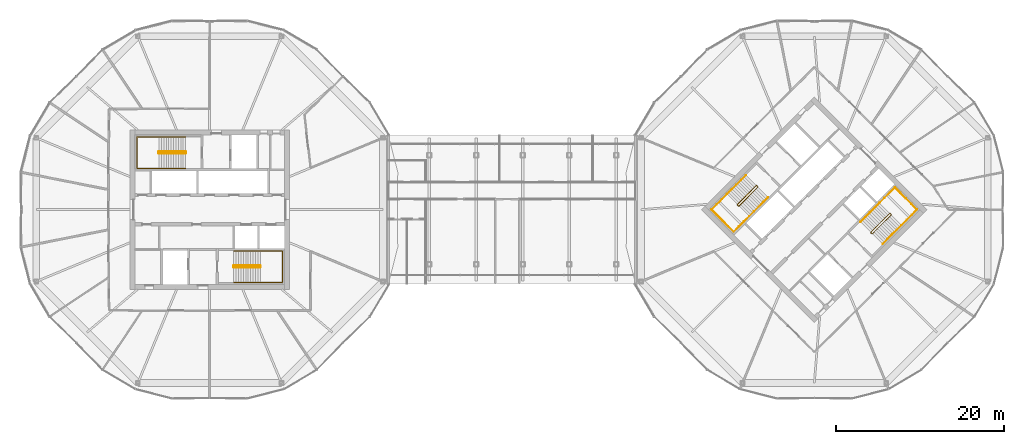
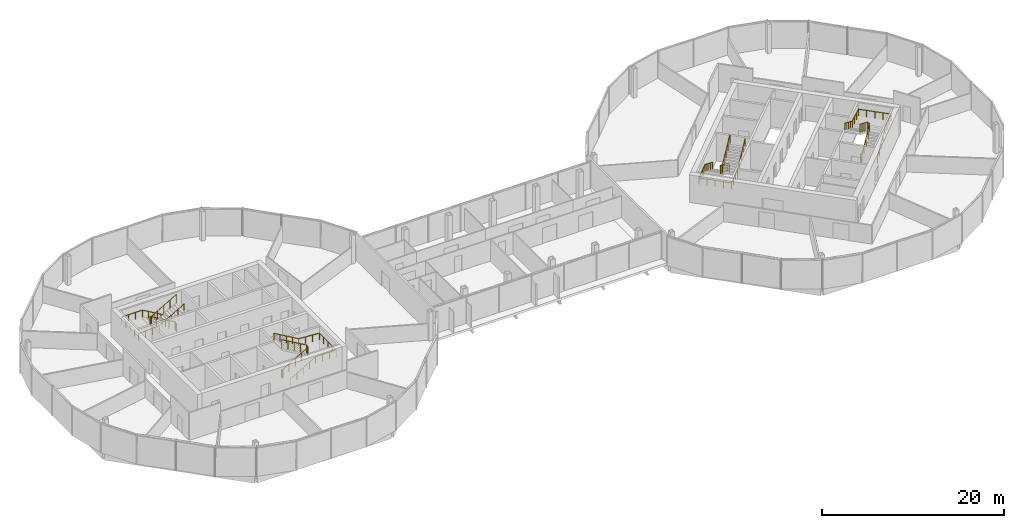
# One storey, part 26 of 26: 8 railings.
"""IFC4 building model written with IfcOpenShell, lengths in metres."""

from ifc_helpers import new_model, si_unit, direction, frame, origin, origin_2d, place, context, subcontext, project, spatial, circle, extrude, material, type_object, element, save


model = new_model("IFC4")

# Units and contexts
model_context = context("Model", 3, precision=1e-05, world=origin(), true_north=direction((0.0, 1.0)))
body_context = subcontext(model_context, "Body", "Model", "MODEL_VIEW")
ifc_project = project(units=[si_unit("LENGTHUNIT", "METRE"), si_unit("AREAUNIT", "SQUARE_METRE"), si_unit("VOLUMEUNIT", "CUBIC_METRE"), si_unit("PLANEANGLEUNIT", "RADIAN"), si_unit("MASSUNIT", "GRAM", prefix="KILO")], contexts=[model_context])

# Site, building, storey
site_placement = place(None, origin())
site = spatial("IfcSite", under=ifc_project, at=site_placement, CompositionType="ELEMENT")
building_placement = place(site_placement, origin())
building = spatial("IfcBuilding", under=site, at=building_placement, Name="Ogive Gate Towers", CompositionType="ELEMENT")
storey_placement = place(building_placement, frame((0.0, 0.0, 156.800048828125)))
storey = spatial("IfcBuildingStorey", under=building, at=storey_placement, Name="L37", CompositionType="ELEMENT", Elevation=156.800048828125)

# Railings
ifc_material = material(Name="Stainless steel", Category="steel")
railing_type_1 = type_object("IfcRailingType", Name="Stair guard 1100", PredefinedType="GUARDRAIL", material=ifc_material)
railing_1_placement = place(storey_placement, frame((-38.81494140625, 6.860107421875, 0.0)))
element("IfcRailing", 1, at=railing_1_placement, inside=storey, type_object=railing_type_1, Name="L37 ST1 stair guard 1", PredefinedType="GUARDRAIL", context=body_context, shape_type="SweptSolid", body=[
    extrude(circle(Radius=0.02392578125, at=origin_2d()), frame((0.0, 0.0, 1.076171875), z_axis=(0.0, -1.0, 0.0), x_axis=(1.0, 0.0, 0.0)), (0.0, 0.0, 1.0), 0.14501953125),
    extrude(circle(Radius=0.02392578125, at=origin_2d()), frame((0.0, -0.14501953125, 1.076171875), z_axis=(-0.19166807023, 0.746103024601, 0.637646945837), x_axis=(-0.968551454522, -0.24881334358, 0.0)), (0.0, 0.0, 1.0), 0.26123046875),
    extrude(circle(Radius=0.02392578125, at=origin_2d()), frame((-0.050048828125, 0.0498046875, 1.24267578125), z_axis=(-0.86512740231, 0.0, 0.501552168546), x_axis=(0.0, -1.0, 0.0)), (0.0, 0.0, 1.0), 3.65576171875),
    extrude(circle(Radius=0.02392578125, at=origin_2d()), frame((-3.212646484375, 0.0498046875, 3.076171875), z_axis=(-0.707106781187, -0.707106781187, 0.0), x_axis=(0.707106781187, -0.707106781187, 0.0)), (0.0, 0.0, 1.0), 0.0703125),
    extrude(circle(Radius=0.02392578125, at=origin_2d()), frame((-3.262451171875, 0.0, 3.076171875), z_axis=(0.0, -1.0, 0.0), x_axis=(1.0, 0.0, 0.0)), (0.0, 0.0, 1.0), 0.14501953125),
    extrude(circle(Radius=0.02392578125, at=origin_2d()), frame((-3.262451171875, -0.14501953125, 3.076171875), z_axis=(0.275382897532, -0.276732813696, 0.920642824102), x_axis=(0.708833529934, 0.705375805398, 0.0)), (0.0, 0.0, 1.0), 0.180908203125),
    extrude(circle(Radius=0.02392578125, at=origin_2d()), frame((-3.212646484375, -0.195068359375, 3.24267578125), z_axis=(0.86512740231, 0.0, 0.501552168546), x_axis=(0.0, 1.0, 0.0)), (0.0, 0.0, 1.0), 3.65576171875),
    extrude(circle(Radius=0.02099609375, at=origin_2d()), origin(), (0.0, 0.0, 1.0), 1.052001953125),
    extrude(circle(Radius=0.02099609375, at=origin_2d()), frame((0.0, -0.14501953125, 0.0)), (0.0, 0.0, 1.0), 1.052001953125),
    extrude(circle(Radius=0.02099609375, at=origin_2d()), frame((-0.050048828125, 0.0498046875, 0.16650390625)), (0.0, 0.0, 1.0), 1.052001953125),
    extrude(circle(Radius=0.02099609375, at=origin_2d()), frame((-0.8408203125, 0.0498046875, 0.625)), (0.0, 0.0, 1.0), 1.052001953125),
    extrude(circle(Radius=0.02099609375, at=origin_2d()), frame((-1.63134765625, 0.0498046875, 1.083251953125)), (0.0, 0.0, 1.0), 1.052001953125),
    extrude(circle(Radius=0.02099609375, at=origin_2d()), frame((-2.421875, 0.0498046875, 1.54150390625)), (0.0, 0.0, 1.0), 1.052001953125),
    extrude(circle(Radius=0.02099609375, at=origin_2d()), frame((-3.212646484375, 0.0498046875, 2.0)), (0.0, 0.0, 1.0), 1.052001953125),
    extrude(circle(Radius=0.02099609375, at=origin_2d()), frame((-3.262451171875, 0.0, 2.0)), (0.0, 0.0, 1.0), 1.052001953125),
    extrude(circle(Radius=0.02099609375, at=origin_2d()), frame((-3.262451171875, -0.14501953125, 2.0)), (0.0, 0.0, 1.0), 1.052001953125),
    extrude(circle(Radius=0.02099609375, at=origin_2d()), frame((-3.212646484375, -0.195068359375, 2.16650390625)), (0.0, 0.0, 1.0), 1.052001953125),
    extrude(circle(Radius=0.02099609375, at=origin_2d()), frame((-2.421875, -0.195068359375, 2.625)), (0.0, 0.0, 1.0), 1.052001953125),
    extrude(circle(Radius=0.02099609375, at=origin_2d()), frame((-1.63134765625, -0.195068359375, 3.083251953125)), (0.0, 0.0, 1.0), 1.052001953125),
    extrude(circle(Radius=0.02099609375, at=origin_2d()), frame((-0.8408203125, -0.195068359375, 3.54150390625)), (0.0, 0.0, 1.0), 1.052001953125),
    extrude(circle(Radius=0.02099609375, at=origin_2d()), frame((-0.050048828125, -0.195068359375, 4.0)), (0.0, 0.0, 1.0), 1.052001953125),
])
railing_2_placement = place(storey_placement, frame((-33.18505859375, -6.860107421875, 0.0)))
element("IfcRailing", 2, at=railing_2_placement, inside=storey, type_object=railing_type_1, Name="L37 ST2 stair guard 1", PredefinedType="GUARDRAIL", context=body_context, shape_type="SweptSolid", body=[
    extrude(circle(Radius=0.02392578125, at=origin_2d()), frame((0.0, 0.0, 1.076171875), z_axis=(0.0, 1.0, 0.0), x_axis=(-1.0, 0.0, 0.0)), (0.0, 0.0, 1.0), 0.14501953125),
    extrude(circle(Radius=0.02392578125, at=origin_2d()), frame((0.0, 0.14501953125, 1.076171875), z_axis=(0.19166807023, -0.746103024601, 0.637646945837), x_axis=(0.968551454522, 0.24881334358, 0.0)), (0.0, 0.0, 1.0), 0.26123046875),
    extrude(circle(Radius=0.02392578125, at=origin_2d()), frame((0.050048828125, -0.0498046875, 1.24267578125), z_axis=(0.86512740231, 0.0, 0.501552168546), x_axis=(0.0, 1.0, 0.0)), (0.0, 0.0, 1.0), 3.65576171875),
    extrude(circle(Radius=0.02392578125, at=origin_2d()), frame((3.212646484375, -0.0498046875, 3.076171875), z_axis=(0.707106781187, 0.707106781187, 0.0), x_axis=(-0.707106781187, 0.707106781187, 0.0)), (0.0, 0.0, 1.0), 0.0703125),
    extrude(circle(Radius=0.02392578125, at=origin_2d()), frame((3.262451171875, 0.0, 3.076171875), z_axis=(0.0, 1.0, 0.0), x_axis=(-1.0, 0.0, 0.0)), (0.0, 0.0, 1.0), 0.14501953125),
    extrude(circle(Radius=0.02392578125, at=origin_2d()), frame((3.262451171875, 0.14501953125, 3.076171875), z_axis=(-0.275382897532, 0.276732813696, 0.920642824102), x_axis=(-0.708833529934, -0.705375805398, 0.0)), (0.0, 0.0, 1.0), 0.180908203125),
    extrude(circle(Radius=0.02392578125, at=origin_2d()), frame((3.212646484375, 0.195068359375, 3.24267578125), z_axis=(-0.86512740231, 0.0, 0.501552168546), x_axis=(0.0, -1.0, 0.0)), (0.0, 0.0, 1.0), 3.65576171875),
    extrude(circle(Radius=0.02099609375, at=origin_2d()), origin(), (0.0, 0.0, 1.0), 1.052001953125),
    extrude(circle(Radius=0.02099609375, at=origin_2d()), frame((0.0, 0.14501953125, 0.0)), (0.0, 0.0, 1.0), 1.052001953125),
    extrude(circle(Radius=0.02099609375, at=origin_2d()), frame((0.050048828125, -0.0498046875, 0.16650390625)), (0.0, 0.0, 1.0), 1.052001953125),
    extrude(circle(Radius=0.02099609375, at=origin_2d()), frame((0.8408203125, -0.0498046875, 0.625)), (0.0, 0.0, 1.0), 1.052001953125),
    extrude(circle(Radius=0.02099609375, at=origin_2d()), frame((1.63134765625, -0.0498046875, 1.083251953125)), (0.0, 0.0, 1.0), 1.052001953125),
    extrude(circle(Radius=0.02099609375, at=origin_2d()), frame((2.421875, -0.0498046875, 1.54150390625)), (0.0, 0.0, 1.0), 1.052001953125),
    extrude(circle(Radius=0.02099609375, at=origin_2d()), frame((3.212646484375, -0.0498046875, 2.0)), (0.0, 0.0, 1.0), 1.052001953125),
    extrude(circle(Radius=0.02099609375, at=origin_2d()), frame((3.262451171875, 0.0, 2.0)), (0.0, 0.0, 1.0), 1.052001953125),
    extrude(circle(Radius=0.02099609375, at=origin_2d()), frame((3.262451171875, 0.14501953125, 2.0)), (0.0, 0.0, 1.0), 1.052001953125),
    extrude(circle(Radius=0.02099609375, at=origin_2d()), frame((3.212646484375, 0.195068359375, 2.16650390625)), (0.0, 0.0, 1.0), 1.052001953125),
    extrude(circle(Radius=0.02099609375, at=origin_2d()), frame((2.421875, 0.195068359375, 2.625)), (0.0, 0.0, 1.0), 1.052001953125),
    extrude(circle(Radius=0.02099609375, at=origin_2d()), frame((1.63134765625, 0.195068359375, 3.083251953125)), (0.0, 0.0, 1.0), 1.052001953125),
    extrude(circle(Radius=0.02099609375, at=origin_2d()), frame((0.8408203125, 0.195068359375, 3.54150390625)), (0.0, 0.0, 1.0), 1.052001953125),
    extrude(circle(Radius=0.02099609375, at=origin_2d()), frame((0.050048828125, 0.195068359375, 4.0)), (0.0, 0.0, 1.0), 1.052001953125),
])
railing_3_placement = place(storey_placement, frame((29.15869140625, 2.8603515625, 0.0)))
element("IfcRailing", 3, at=railing_3_placement, inside=storey, type_object=railing_type_1, Name="L37 ST1 stair guard 1", PredefinedType="GUARDRAIL", context=body_context, shape_type="SweptSolid", body=[
    extrude(circle(Radius=0.02392578125, at=origin_2d()), frame((0.0, 0.0, 1.076171875), z_axis=(0.707106781187, -0.707106781187, 0.0), x_axis=(0.707106781187, 0.707106781187, 0.0)), (0.0, 0.0, 1.0), 0.14501953125),
    extrude(circle(Radius=0.02392578125, at=origin_2d()), frame((0.1025390625, -0.1025390625, 1.076171875), z_axis=(-0.662818031471, 0.39264255743, 0.637576724208), x_axis=(-0.509669330572, -0.860370369942, 0.0)), (0.0, 0.0, 1.0), 0.26123046875),
    extrude(circle(Radius=0.02392578125, at=origin_2d()), frame((-0.070556640625, 0.0, 1.24267578125), z_axis=(-0.611739783828, -0.611739783828, 0.501546482156), x_axis=(0.707106781187, -0.707106781187, 0.0)), (0.0, 0.0, 1.0), 3.65576171875),
    extrude(circle(Radius=0.02392578125, at=origin_2d()), frame((-2.306884765625, -2.236328125, 3.076171875), z_axis=(0.0, -1.0, 0.0), x_axis=(1.0, 0.0, 0.0)), (0.0, 0.0, 1.0), 0.07080078125),
    extrude(circle(Radius=0.02392578125, at=origin_2d()), frame((-2.306884765625, -2.30712890625, 3.076171875), z_axis=(0.707106781187, -0.707106781187, 0.0), x_axis=(0.707106781187, 0.707106781187, 0.0)), (0.0, 0.0, 1.0), 0.14501953125),
    extrude(circle(Radius=0.02392578125, at=origin_2d()), frame((-2.204345703125, -2.40966796875, 3.076171875), z_axis=(0.391312070548, 0.0, 0.920258041771), x_axis=(0.0, 1.0, 0.0)), (0.0, 0.0, 1.0), 0.180908203125),
    extrude(circle(Radius=0.02392578125, at=origin_2d()), frame((-2.133544921875, -2.40966796875, 3.24267578125), z_axis=(0.61169798966, 0.611764776208, 0.501566972633), x_axis=(-0.707145379772, 0.707068180494, 0.0)), (0.0, 0.0, 1.0), 3.655517578125),
    extrude(circle(Radius=0.02099609375, at=origin_2d()), origin(), (0.0, 0.0, 1.0), 1.052001953125),
    extrude(circle(Radius=0.02099609375, at=origin_2d()), frame((0.1025390625, -0.1025390625, 0.0)), (0.0, 0.0, 1.0), 1.052001953125),
    extrude(circle(Radius=0.02099609375, at=origin_2d()), frame((-0.070556640625, 0.0, 0.16650390625)), (0.0, 0.0, 1.0), 1.052001953125),
    extrude(circle(Radius=0.02099609375, at=origin_2d()), frame((-0.629638671875, -0.55908203125, 0.625)), (0.0, 0.0, 1.0), 1.052001953125),
    extrude(circle(Radius=0.02099609375, at=origin_2d()), frame((-1.188720703125, -1.1181640625, 1.083251953125)), (0.0, 0.0, 1.0), 1.052001953125),
    extrude(circle(Radius=0.02099609375, at=origin_2d()), frame((-1.747802734375, -1.67724609375, 1.54150390625)), (0.0, 0.0, 1.0), 1.052001953125),
    extrude(circle(Radius=0.02099609375, at=origin_2d()), frame((-2.306884765625, -2.236328125, 2.0)), (0.0, 0.0, 1.0), 1.052001953125),
    extrude(circle(Radius=0.02099609375, at=origin_2d()), frame((-2.306884765625, -2.30712890625, 2.0)), (0.0, 0.0, 1.0), 1.052001953125),
    extrude(circle(Radius=0.02099609375, at=origin_2d()), frame((-2.204345703125, -2.40966796875, 2.0)), (0.0, 0.0, 1.0), 1.052001953125),
    extrude(circle(Radius=0.02099609375, at=origin_2d()), frame((-2.133544921875, -2.40966796875, 2.16650390625)), (0.0, 0.0, 1.0), 1.052001953125),
    extrude(circle(Radius=0.02099609375, at=origin_2d()), frame((-1.574462890625, -1.8505859375, 2.625)), (0.0, 0.0, 1.0), 1.052001953125),
    extrude(circle(Radius=0.02099609375, at=origin_2d()), frame((-1.015625, -1.29150390625, 3.083251953125)), (0.0, 0.0, 1.0), 1.052001953125),
    extrude(circle(Radius=0.02099609375, at=origin_2d()), frame((-0.45654296875, -0.732421875, 3.54150390625)), (0.0, 0.0, 1.0), 1.052001953125),
    extrude(circle(Radius=0.02099609375, at=origin_2d()), frame((0.1025390625, -0.17333984375, 4.0)), (0.0, 0.0, 1.0), 1.052001953125),
])
railing_4_placement = place(storey_placement, frame((42.84130859375, -2.8603515625, 0.0)))
element("IfcRailing", 4, at=railing_4_placement, inside=storey, type_object=railing_type_1, Name="L37 ST2 stair guard 1", PredefinedType="GUARDRAIL", context=body_context, shape_type="SweptSolid", body=[
    extrude(circle(Radius=0.02392578125, at=origin_2d()), frame((0.0, 0.0, 1.076171875), z_axis=(-0.707106781187, 0.707106781187, 0.0), x_axis=(-0.707106781187, -0.707106781187, 0.0)), (0.0, 0.0, 1.0), 0.14501953125),
    extrude(circle(Radius=0.02392578125, at=origin_2d()), frame((-0.1025390625, 0.1025390625, 1.076171875), z_axis=(0.662818031471, -0.39264255743, 0.637576724208), x_axis=(0.509669330572, 0.860370369942, 0.0)), (0.0, 0.0, 1.0), 0.26123046875),
    extrude(circle(Radius=0.02392578125, at=origin_2d()), frame((0.070556640625, 0.0, 1.24267578125), z_axis=(0.611739783828, 0.611739783828, 0.501546482156), x_axis=(-0.707106781187, 0.707106781187, 0.0)), (0.0, 0.0, 1.0), 3.65576171875),
    extrude(circle(Radius=0.02392578125, at=origin_2d()), frame((2.306884765625, 2.236328125, 3.076171875), z_axis=(0.0, 1.0, 0.0), x_axis=(-1.0, 0.0, 0.0)), (0.0, 0.0, 1.0), 0.07080078125),
    extrude(circle(Radius=0.02392578125, at=origin_2d()), frame((2.306884765625, 2.30712890625, 3.076171875), z_axis=(-0.707106781187, 0.707106781187, 0.0), x_axis=(-0.707106781187, -0.707106781187, 0.0)), (0.0, 0.0, 1.0), 0.14501953125),
    extrude(circle(Radius=0.02392578125, at=origin_2d()), frame((2.204345703125, 2.40966796875, 3.076171875), z_axis=(-0.391312070548, 0.0, 0.920258041771), x_axis=(0.0, -1.0, 0.0)), (0.0, 0.0, 1.0), 0.180908203125),
    extrude(circle(Radius=0.02392578125, at=origin_2d()), frame((2.133544921875, 2.40966796875, 3.24267578125), z_axis=(-0.61169798966, -0.611764776208, 0.501566972633), x_axis=(0.707145379772, -0.707068180494, 0.0)), (0.0, 0.0, 1.0), 3.655517578125),
    extrude(circle(Radius=0.02099609375, at=origin_2d()), origin(), (0.0, 0.0, 1.0), 1.052001953125),
    extrude(circle(Radius=0.02099609375, at=origin_2d()), frame((-0.1025390625, 0.1025390625, 0.0)), (0.0, 0.0, 1.0), 1.052001953125),
    extrude(circle(Radius=0.02099609375, at=origin_2d()), frame((0.070556640625, 0.0, 0.16650390625)), (0.0, 0.0, 1.0), 1.052001953125),
    extrude(circle(Radius=0.02099609375, at=origin_2d()), frame((0.629638671875, 0.55908203125, 0.625)), (0.0, 0.0, 1.0), 1.052001953125),
    extrude(circle(Radius=0.02099609375, at=origin_2d()), frame((1.188720703125, 1.1181640625, 1.083251953125)), (0.0, 0.0, 1.0), 1.052001953125),
    extrude(circle(Radius=0.02099609375, at=origin_2d()), frame((1.747802734375, 1.67724609375, 1.54150390625)), (0.0, 0.0, 1.0), 1.052001953125),
    extrude(circle(Radius=0.02099609375, at=origin_2d()), frame((2.306884765625, 2.236328125, 2.0)), (0.0, 0.0, 1.0), 1.052001953125),
    extrude(circle(Radius=0.02099609375, at=origin_2d()), frame((2.306884765625, 2.30712890625, 2.0)), (0.0, 0.0, 1.0), 1.052001953125),
    extrude(circle(Radius=0.02099609375, at=origin_2d()), frame((2.204345703125, 2.40966796875, 2.0)), (0.0, 0.0, 1.0), 1.052001953125),
    extrude(circle(Radius=0.02099609375, at=origin_2d()), frame((2.133544921875, 2.40966796875, 2.16650390625)), (0.0, 0.0, 1.0), 1.052001953125),
    extrude(circle(Radius=0.02099609375, at=origin_2d()), frame((1.574462890625, 1.8505859375, 2.625)), (0.0, 0.0, 1.0), 1.052001953125),
    extrude(circle(Radius=0.02099609375, at=origin_2d()), frame((1.015625, 1.29150390625, 3.083251953125)), (0.0, 0.0, 1.0), 1.052001953125),
    extrude(circle(Radius=0.02099609375, at=origin_2d()), frame((0.45654296875, 0.732421875, 3.54150390625)), (0.0, 0.0, 1.0), 1.052001953125),
    extrude(circle(Radius=0.02099609375, at=origin_2d()), frame((-0.1025390625, 0.17333984375, 4.0)), (0.0, 0.0, 1.0), 1.052001953125),
])
railing_type_2 = type_object("IfcRailingType", Name="Stair handrail 900", PredefinedType="HANDRAIL", material=ifc_material)
railing_5_placement = place(storey_placement, frame((-38.864990234375, 8.64990234375, 0.16650390625)))
element("IfcRailing", 5, at=railing_5_placement, inside=storey, type_object=railing_type_2, Name="L37 ST1 stair handrail 1", PredefinedType="HANDRAIL", context=body_context, shape_type="SweptSolid", body=[
    extrude(circle(Radius=0.02392578125, at=origin_2d()), frame((0.0, 0.0, 0.8759765625), z_axis=(-0.86512740231, 0.0, 0.501552168546), x_axis=(0.0, -1.0, 0.0)), (0.0, 0.0, 1.0), 3.65576171875),
    extrude(circle(Radius=0.02392578125, at=origin_2d()), frame((-3.16259765625, 0.0, 2.70947265625), z_axis=(-1.0, 0.0, 0.0), x_axis=(0.0, -1.0, 0.0)), (0.0, 0.0, 1.0), 2.622314453125),
    extrude(circle(Radius=0.02392578125, at=origin_2d()), frame((-5.784912109375, 0.0, 2.70947265625), z_axis=(0.0, -1.0, 0.0), x_axis=(1.0, 0.0, 0.0)), (0.0, 0.0, 1.0), 3.724853515625),
    extrude(circle(Radius=0.02392578125, at=origin_2d()), frame((-5.784912109375, -3.724853515625, 2.70947265625), z_axis=(0.997990266097, 0.0, 0.063367410993), x_axis=(0.0, 1.0, 0.0)), (0.0, 0.0, 1.0), 2.627685546875),
    extrude(circle(Radius=0.02392578125, at=origin_2d()), frame((-3.16259765625, -3.724853515625, 2.8759765625), z_axis=(0.86512740231, 0.0, 0.501552168546), x_axis=(0.0, 1.0, 0.0)), (0.0, 0.0, 1.0), 3.65576171875),
    extrude(circle(Radius=0.02099609375, at=origin_2d()), origin(), (0.0, 0.0, 1.0), 0.851806640625),
    extrude(circle(Radius=0.02099609375, at=origin_2d()), frame((-0.79052734375, 0.0, 0.45849609375)), (0.0, 0.0, 1.0), 0.851806640625),
    extrude(circle(Radius=0.02099609375, at=origin_2d()), frame((-1.581298828125, 0.0, 0.916748046875)), (0.0, 0.0, 1.0), 0.851806640625),
    extrude(circle(Radius=0.02099609375, at=origin_2d()), frame((-2.3720703125, 0.0, 1.375)), (0.0, 0.0, 1.0), 0.851806640625),
    extrude(circle(Radius=0.02099609375, at=origin_2d()), frame((-3.16259765625, 0.0, 1.83349609375)), (0.0, 0.0, 1.0), 0.851806640625),
    extrude(circle(Radius=0.02099609375, at=origin_2d()), frame((-4.03662109375, 0.0, 1.83349609375)), (0.0, 0.0, 1.0), 0.851806640625),
    extrude(circle(Radius=0.02099609375, at=origin_2d()), frame((-4.910888671875, 0.0, 1.83349609375)), (0.0, 0.0, 1.0), 0.851806640625),
    extrude(circle(Radius=0.02099609375, at=origin_2d()), frame((-5.784912109375, 0.0, 1.83349609375)), (0.0, 0.0, 1.0), 0.851806640625),
    extrude(circle(Radius=0.02099609375, at=origin_2d()), frame((-5.784912109375, -0.93115234375, 1.83349609375)), (0.0, 0.0, 1.0), 0.851806640625),
    extrude(circle(Radius=0.02099609375, at=origin_2d()), frame((-5.784912109375, -1.8623046875, 1.83349609375)), (0.0, 0.0, 1.0), 0.851806640625),
    extrude(circle(Radius=0.02099609375, at=origin_2d()), frame((-5.784912109375, -2.793701171875, 1.83349609375)), (0.0, 0.0, 1.0), 0.851806640625),
    extrude(circle(Radius=0.02099609375, at=origin_2d()), frame((-5.784912109375, -3.724853515625, 1.83349609375)), (0.0, 0.0, 1.0), 0.851806640625),
    extrude(circle(Radius=0.02099609375, at=origin_2d()), frame((-4.910888671875, -3.724853515625, 1.888916015625)), (0.0, 0.0, 1.0), 0.851806640625),
    extrude(circle(Radius=0.02099609375, at=origin_2d()), frame((-4.03662109375, -3.724853515625, 1.944580078125)), (0.0, 0.0, 1.0), 0.851806640625),
    extrude(circle(Radius=0.02099609375, at=origin_2d()), frame((-3.16259765625, -3.724853515625, 2.0)), (0.0, 0.0, 1.0), 0.851806640625),
    extrude(circle(Radius=0.02099609375, at=origin_2d()), frame((-2.3720703125, -3.724853515625, 2.45849609375)), (0.0, 0.0, 1.0), 0.851806640625),
    extrude(circle(Radius=0.02099609375, at=origin_2d()), frame((-1.581298828125, -3.724853515625, 2.916748046875)), (0.0, 0.0, 1.0), 0.851806640625),
    extrude(circle(Radius=0.02099609375, at=origin_2d()), frame((-0.79052734375, -3.724853515625, 3.375)), (0.0, 0.0, 1.0), 0.851806640625),
    extrude(circle(Radius=0.02099609375, at=origin_2d()), frame((0.0, -3.724853515625, 3.83349609375)), (0.0, 0.0, 1.0), 0.851806640625),
])
railing_6_placement = place(storey_placement, frame((-33.135009765625, -8.64990234375, 0.16650390625)))
element("IfcRailing", 6, at=railing_6_placement, inside=storey, type_object=railing_type_2, Name="L37 ST2 stair handrail 1", PredefinedType="HANDRAIL", context=body_context, shape_type="SweptSolid", body=[
    extrude(circle(Radius=0.02392578125, at=origin_2d()), frame((0.0, 0.0, 0.8759765625), z_axis=(0.86512740231, 0.0, 0.501552168546), x_axis=(0.0, 1.0, 0.0)), (0.0, 0.0, 1.0), 3.65576171875),
    extrude(circle(Radius=0.02392578125, at=origin_2d()), frame((3.16259765625, 0.0, 2.70947265625), z_axis=(1.0, 0.0, 0.0), x_axis=(0.0, 1.0, 0.0)), (0.0, 0.0, 1.0), 2.622314453125),
    extrude(circle(Radius=0.02392578125, at=origin_2d()), frame((5.784912109375, 0.0, 2.70947265625), z_axis=(0.0, 1.0, 0.0), x_axis=(-1.0, 0.0, 0.0)), (0.0, 0.0, 1.0), 3.724853515625),
    extrude(circle(Radius=0.02392578125, at=origin_2d()), frame((5.784912109375, 3.724853515625, 2.70947265625), z_axis=(-0.997990266097, 0.0, 0.063367410993), x_axis=(0.0, -1.0, 0.0)), (0.0, 0.0, 1.0), 2.627685546875),
    extrude(circle(Radius=0.02392578125, at=origin_2d()), frame((3.16259765625, 3.724853515625, 2.8759765625), z_axis=(-0.86512740231, 0.0, 0.501552168546), x_axis=(0.0, -1.0, 0.0)), (0.0, 0.0, 1.0), 3.65576171875),
    extrude(circle(Radius=0.02099609375, at=origin_2d()), origin(), (0.0, 0.0, 1.0), 0.851806640625),
    extrude(circle(Radius=0.02099609375, at=origin_2d()), frame((0.79052734375, 0.0, 0.45849609375)), (0.0, 0.0, 1.0), 0.851806640625),
    extrude(circle(Radius=0.02099609375, at=origin_2d()), frame((1.581298828125, 0.0, 0.916748046875)), (0.0, 0.0, 1.0), 0.851806640625),
    extrude(circle(Radius=0.02099609375, at=origin_2d()), frame((2.3720703125, 0.0, 1.375)), (0.0, 0.0, 1.0), 0.851806640625),
    extrude(circle(Radius=0.02099609375, at=origin_2d()), frame((3.16259765625, 0.0, 1.83349609375)), (0.0, 0.0, 1.0), 0.851806640625),
    extrude(circle(Radius=0.02099609375, at=origin_2d()), frame((4.03662109375, 0.0, 1.83349609375)), (0.0, 0.0, 1.0), 0.851806640625),
    extrude(circle(Radius=0.02099609375, at=origin_2d()), frame((4.910888671875, 0.0, 1.83349609375)), (0.0, 0.0, 1.0), 0.851806640625),
    extrude(circle(Radius=0.02099609375, at=origin_2d()), frame((5.784912109375, 0.0, 1.83349609375)), (0.0, 0.0, 1.0), 0.851806640625),
    extrude(circle(Radius=0.02099609375, at=origin_2d()), frame((5.784912109375, 0.93115234375, 1.83349609375)), (0.0, 0.0, 1.0), 0.851806640625),
    extrude(circle(Radius=0.02099609375, at=origin_2d()), frame((5.784912109375, 1.8623046875, 1.83349609375)), (0.0, 0.0, 1.0), 0.851806640625),
    extrude(circle(Radius=0.02099609375, at=origin_2d()), frame((5.784912109375, 2.793701171875, 1.83349609375)), (0.0, 0.0, 1.0), 0.851806640625),
    extrude(circle(Radius=0.02099609375, at=origin_2d()), frame((5.784912109375, 3.724853515625, 1.83349609375)), (0.0, 0.0, 1.0), 0.851806640625),
    extrude(circle(Radius=0.02099609375, at=origin_2d()), frame((4.910888671875, 3.724853515625, 1.888916015625)), (0.0, 0.0, 1.0), 0.851806640625),
    extrude(circle(Radius=0.02099609375, at=origin_2d()), frame((4.03662109375, 3.724853515625, 1.944580078125)), (0.0, 0.0, 1.0), 0.851806640625),
    extrude(circle(Radius=0.02099609375, at=origin_2d()), frame((3.16259765625, 3.724853515625, 2.0)), (0.0, 0.0, 1.0), 0.851806640625),
    extrude(circle(Radius=0.02099609375, at=origin_2d()), frame((2.3720703125, 3.724853515625, 2.45849609375)), (0.0, 0.0, 1.0), 0.851806640625),
    extrude(circle(Radius=0.02099609375, at=origin_2d()), frame((1.581298828125, 3.724853515625, 2.916748046875)), (0.0, 0.0, 1.0), 0.851806640625),
    extrude(circle(Radius=0.02099609375, at=origin_2d()), frame((0.79052734375, 3.724853515625, 3.375)), (0.0, 0.0, 1.0), 0.851806640625),
    extrude(circle(Radius=0.02099609375, at=origin_2d()), frame((0.0, 3.724853515625, 3.83349609375)), (0.0, 0.0, 1.0), 0.851806640625),
])
railing_7_placement = place(storey_placement, frame((27.857666015625, 4.090576171875, 0.16650390625)))
element("IfcRailing", 7, at=railing_7_placement, inside=storey, type_object=railing_type_2, Name="L37 ST1 stair handrail 1", PredefinedType="HANDRAIL", context=body_context, shape_type="SweptSolid", body=[
    extrude(circle(Radius=0.02392578125, at=origin_2d()), frame((0.0, 0.0, 0.8759765625), z_axis=(-0.611764776208, -0.61169798966, 0.501566972633), x_axis=(0.707068180494, -0.707145379772, 0.0)), (0.0, 0.0, 1.0), 3.655517578125),
    extrude(circle(Radius=0.02392578125, at=origin_2d()), frame((-2.236328125, -2.236083984375, 2.70947265625), z_axis=(-0.70706023191, -0.707153327399, 0.0), x_axis=(0.707153327399, -0.70706023191, 0.0)), (0.0, 0.0, 1.0), 2.62255859375),
    extrude(circle(Radius=0.02392578125, at=origin_2d()), frame((-4.090576171875, -4.090576171875, 2.70947265625), z_axis=(0.707106781187, -0.707106781187, 0.0), x_axis=(0.707106781187, 0.707106781187, 0.0)), (0.0, 0.0, 1.0), 3.72509765625),
    extrude(circle(Radius=0.02392578125, at=origin_2d()), frame((-1.45654296875, -6.724609375, 2.70947265625), z_axis=(0.705639402853, 0.705732311267, 0.063363538215), x_axis=(-0.707153327399, 0.70706023191, 0.0)), (0.0, 0.0, 1.0), 2.627685546875),
    extrude(circle(Radius=0.02392578125, at=origin_2d()), frame((0.397705078125, -4.8701171875, 2.8759765625), z_axis=(0.611764776208, 0.61169798966, 0.501566972633), x_axis=(-0.707068180494, 0.707145379772, 0.0)), (0.0, 0.0, 1.0), 3.655517578125),
    extrude(circle(Radius=0.02099609375, at=origin_2d()), origin(), (0.0, 0.0, 1.0), 0.851806640625),
    extrude(circle(Radius=0.02099609375, at=origin_2d()), frame((-0.55908203125, -0.55908203125, 0.45849609375)), (0.0, 0.0, 1.0), 0.851806640625),
    extrude(circle(Radius=0.02099609375, at=origin_2d()), frame((-1.1181640625, -1.1181640625, 0.916748046875)), (0.0, 0.0, 1.0), 0.851806640625),
    extrude(circle(Radius=0.02099609375, at=origin_2d()), frame((-1.67724609375, -1.677001953125, 1.375)), (0.0, 0.0, 1.0), 0.851806640625),
    extrude(circle(Radius=0.02099609375, at=origin_2d()), frame((-2.236328125, -2.236083984375, 1.83349609375)), (0.0, 0.0, 1.0), 0.851806640625),
    extrude(circle(Radius=0.02099609375, at=origin_2d()), frame((-2.8544921875, -2.854248046875, 1.83349609375)), (0.0, 0.0, 1.0), 0.851806640625),
    extrude(circle(Radius=0.02099609375, at=origin_2d()), frame((-3.472412109375, -3.472412109375, 1.83349609375)), (0.0, 0.0, 1.0), 0.851806640625),
    extrude(circle(Radius=0.02099609375, at=origin_2d()), frame((-4.090576171875, -4.090576171875, 1.83349609375)), (0.0, 0.0, 1.0), 0.851806640625),
    extrude(circle(Radius=0.02099609375, at=origin_2d()), frame((-3.43212890625, -4.7490234375, 1.83349609375)), (0.0, 0.0, 1.0), 0.851806640625),
    extrude(circle(Radius=0.02099609375, at=origin_2d()), frame((-2.7734375, -5.40771484375, 1.83349609375)), (0.0, 0.0, 1.0), 0.851806640625),
    extrude(circle(Radius=0.02099609375, at=origin_2d()), frame((-2.114990234375, -6.066162109375, 1.83349609375)), (0.0, 0.0, 1.0), 0.851806640625),
    extrude(circle(Radius=0.02099609375, at=origin_2d()), frame((-1.45654296875, -6.724609375, 1.83349609375)), (0.0, 0.0, 1.0), 0.851806640625),
    extrude(circle(Radius=0.02099609375, at=origin_2d()), frame((-0.83837890625, -6.1064453125, 1.888916015625)), (0.0, 0.0, 1.0), 0.851806640625),
    extrude(circle(Radius=0.02099609375, at=origin_2d()), frame((-0.220458984375, -5.48828125, 1.944580078125)), (0.0, 0.0, 1.0), 0.851806640625),
    extrude(circle(Radius=0.02099609375, at=origin_2d()), frame((0.397705078125, -4.8701171875, 2.0)), (0.0, 0.0, 1.0), 0.851806640625),
    extrude(circle(Radius=0.02099609375, at=origin_2d()), frame((0.956787109375, -4.31103515625, 2.45849609375)), (0.0, 0.0, 1.0), 0.851806640625),
    extrude(circle(Radius=0.02099609375, at=origin_2d()), frame((1.515869140625, -3.751953125, 2.916748046875)), (0.0, 0.0, 1.0), 0.851806640625),
    extrude(circle(Radius=0.02099609375, at=origin_2d()), frame((2.074951171875, -3.193115234375, 3.375)), (0.0, 0.0, 1.0), 0.851806640625),
    extrude(circle(Radius=0.02099609375, at=origin_2d()), frame((2.634033203125, -2.634033203125, 3.83349609375)), (0.0, 0.0, 1.0), 0.851806640625),
])
railing_8_placement = place(storey_placement, frame((44.142333984375, -4.090576171875, 0.16650390625)))
element("IfcRailing", 8, at=railing_8_placement, inside=storey, type_object=railing_type_2, Name="L37 ST2 stair handrail 1", PredefinedType="HANDRAIL", context=body_context, shape_type="SweptSolid", body=[
    extrude(circle(Radius=0.02392578125, at=origin_2d()), frame((0.0, 0.0, 0.8759765625), z_axis=(0.611764776208, 0.61169798966, 0.501566972633), x_axis=(-0.707068180494, 0.707145379772, 0.0)), (0.0, 0.0, 1.0), 3.655517578125),
    extrude(circle(Radius=0.02392578125, at=origin_2d()), frame((2.236328125, 2.236083984375, 2.70947265625), z_axis=(0.70706023191, 0.707153327399, 0.0), x_axis=(-0.707153327399, 0.70706023191, 0.0)), (0.0, 0.0, 1.0), 2.62255859375),
    extrude(circle(Radius=0.02392578125, at=origin_2d()), frame((4.090576171875, 4.090576171875, 2.70947265625), z_axis=(-0.707106781187, 0.707106781187, 0.0), x_axis=(-0.707106781187, -0.707106781187, 0.0)), (0.0, 0.0, 1.0), 3.72509765625),
    extrude(circle(Radius=0.02392578125, at=origin_2d()), frame((1.45654296875, 6.724609375, 2.70947265625), z_axis=(-0.705639402853, -0.705732311267, 0.063363538215), x_axis=(0.707153327399, -0.70706023191, 0.0)), (0.0, 0.0, 1.0), 2.627685546875),
    extrude(circle(Radius=0.02392578125, at=origin_2d()), frame((-0.397705078125, 4.8701171875, 2.8759765625), z_axis=(-0.611764776208, -0.61169798966, 0.501566972633), x_axis=(0.707068180494, -0.707145379772, 0.0)), (0.0, 0.0, 1.0), 3.655517578125),
    extrude(circle(Radius=0.02099609375, at=origin_2d()), origin(), (0.0, 0.0, 1.0), 0.851806640625),
    extrude(circle(Radius=0.02099609375, at=origin_2d()), frame((0.55908203125, 0.55908203125, 0.45849609375)), (0.0, 0.0, 1.0), 0.851806640625),
    extrude(circle(Radius=0.02099609375, at=origin_2d()), frame((1.1181640625, 1.1181640625, 0.916748046875)), (0.0, 0.0, 1.0), 0.851806640625),
    extrude(circle(Radius=0.02099609375, at=origin_2d()), frame((1.67724609375, 1.677001953125, 1.375)), (0.0, 0.0, 1.0), 0.851806640625),
    extrude(circle(Radius=0.02099609375, at=origin_2d()), frame((2.236328125, 2.236083984375, 1.83349609375)), (0.0, 0.0, 1.0), 0.851806640625),
    extrude(circle(Radius=0.02099609375, at=origin_2d()), frame((2.8544921875, 2.854248046875, 1.83349609375)), (0.0, 0.0, 1.0), 0.851806640625),
    extrude(circle(Radius=0.02099609375, at=origin_2d()), frame((3.472412109375, 3.472412109375, 1.83349609375)), (0.0, 0.0, 1.0), 0.851806640625),
    extrude(circle(Radius=0.02099609375, at=origin_2d()), frame((4.090576171875, 4.090576171875, 1.83349609375)), (0.0, 0.0, 1.0), 0.851806640625),
    extrude(circle(Radius=0.02099609375, at=origin_2d()), frame((3.43212890625, 4.7490234375, 1.83349609375)), (0.0, 0.0, 1.0), 0.851806640625),
    extrude(circle(Radius=0.02099609375, at=origin_2d()), frame((2.7734375, 5.40771484375, 1.83349609375)), (0.0, 0.0, 1.0), 0.851806640625),
    extrude(circle(Radius=0.02099609375, at=origin_2d()), frame((2.114990234375, 6.066162109375, 1.83349609375)), (0.0, 0.0, 1.0), 0.851806640625),
    extrude(circle(Radius=0.02099609375, at=origin_2d()), frame((1.45654296875, 6.724609375, 1.83349609375)), (0.0, 0.0, 1.0), 0.851806640625),
    extrude(circle(Radius=0.02099609375, at=origin_2d()), frame((0.83837890625, 6.1064453125, 1.888916015625)), (0.0, 0.0, 1.0), 0.851806640625),
    extrude(circle(Radius=0.02099609375, at=origin_2d()), frame((0.220458984375, 5.48828125, 1.944580078125)), (0.0, 0.0, 1.0), 0.851806640625),
    extrude(circle(Radius=0.02099609375, at=origin_2d()), frame((-0.397705078125, 4.8701171875, 2.0)), (0.0, 0.0, 1.0), 0.851806640625),
    extrude(circle(Radius=0.02099609375, at=origin_2d()), frame((-0.956787109375, 4.31103515625, 2.45849609375)), (0.0, 0.0, 1.0), 0.851806640625),
    extrude(circle(Radius=0.02099609375, at=origin_2d()), frame((-1.515869140625, 3.751953125, 2.916748046875)), (0.0, 0.0, 1.0), 0.851806640625),
    extrude(circle(Radius=0.02099609375, at=origin_2d()), frame((-2.074951171875, 3.193115234375, 3.375)), (0.0, 0.0, 1.0), 0.851806640625),
    extrude(circle(Radius=0.02099609375, at=origin_2d()), frame((-2.634033203125, 2.634033203125, 3.83349609375)), (0.0, 0.0, 1.0), 0.851806640625),
])

save(model, "model.ifc")
